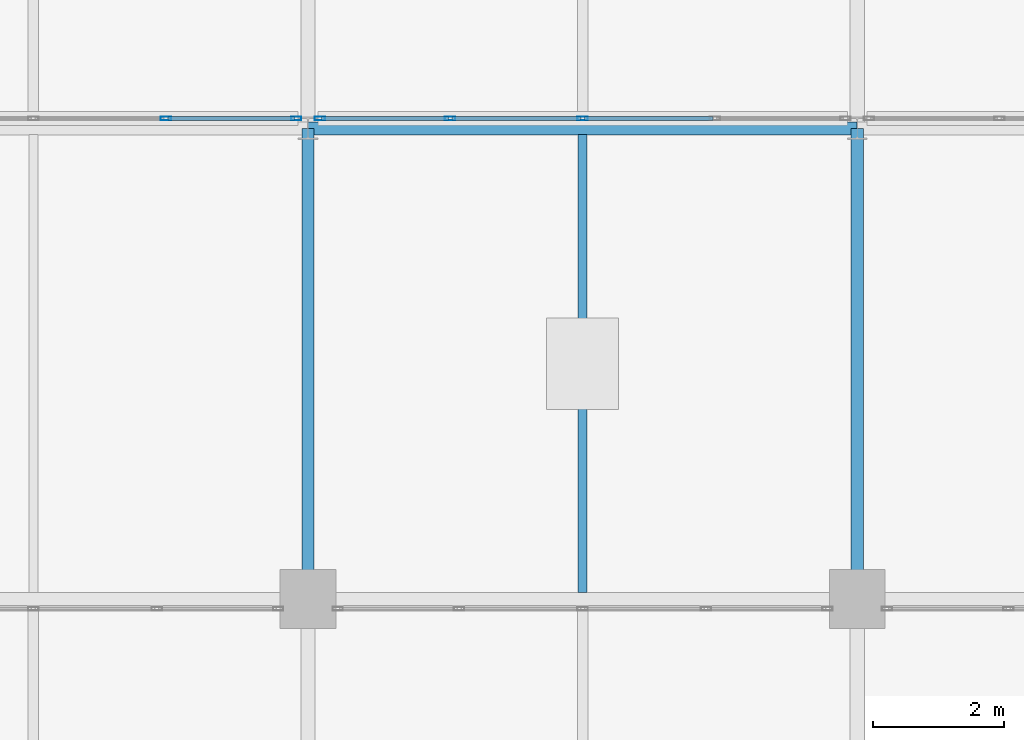
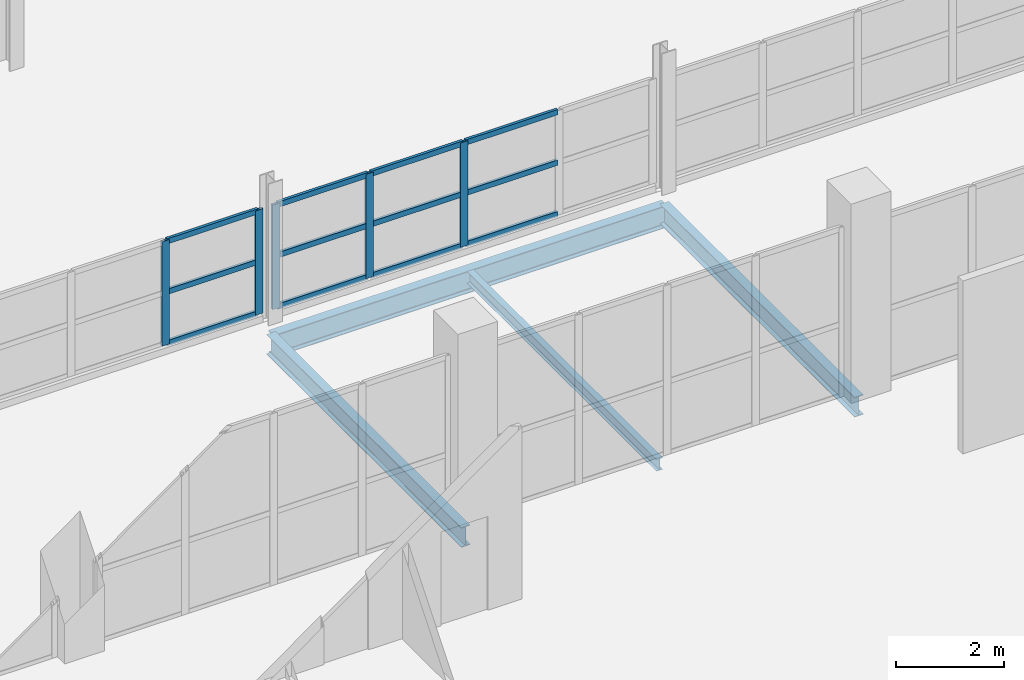
# One storey, part 23 of 103: 17 members, 4 beams, 2 elements without a shape of their own.
"""IFC4 building model written with IfcOpenShell, lengths in metres."""

from ifc_helpers import new_model, si_unit, direction, frame, origin, origin_2d, place, context, subcontext, project, spatial, hollow_rectangle, i_section, extrude, material, material_profile, profile_set, type_object, element, aggregate, save


model = new_model("IFC4")

# Units and contexts
model_context = context("Model", 3, precision=1e-05, world=origin(), true_north=direction((0.0, 1.0)))
body_context = subcontext(model_context, "Body", "Model", "MODEL_VIEW")
ifc_project = project(units=[si_unit("LENGTHUNIT", "METRE"), si_unit("AREAUNIT", "SQUARE_METRE"), si_unit("VOLUMEUNIT", "CUBIC_METRE"), si_unit("PLANEANGLEUNIT", "RADIAN"), si_unit("MASSUNIT", "GRAM", prefix="KILO")], contexts=[model_context])

# Site, building, storey
site_placement = place(None, origin())
site = spatial("IfcSite", under=ifc_project, at=site_placement, CompositionType="ELEMENT")
building_placement = place(site_placement, origin())
building = spatial("IfcBuilding", under=site, at=building_placement, Name="Veltarok Museum of Natural Sciences", CompositionType="ELEMENT")
storey_placement = place(building_placement, frame((0.0, 0.0, 21.89990234375)))
storey = spatial("IfcBuildingStorey", under=building, at=storey_placement, Name="L04", CompositionType="ELEMENT", Elevation=21.89990234375)

# Curtain wall, members
ifc_material_1 = material(Name="Low-iron triple insulated glass", Category="glass")
curtain_wall_type = type_object("IfcCurtainWallType", Name="Curtain Wall System CW-V2S-L04-810x236 (V2 South Setback L04 810x236cm)", PredefinedType="NOTDEFINED", material=ifc_material_1)
curtain_wall_1_placement = place(storey_placement, origin())
curtain_wall_1 = element("IfcCurtainWall", 1, at=curtain_wall_1_placement, inside=storey, type_object=curtain_wall_type, Name="Curtain Wall CW-V2S-L04-810x236 CW-0224", PredefinedType="NOTDEFINED")
ifc_material_2 = material(Name="Thermally broken anodised aluminium", Category="aluminium")
ifc_material_profile_1 = material_profile(ifc_material_2, hollow_rectangle(XDim=0.06005859375, YDim=0.1201171875, WallThickness=0.0048828125, at=origin_2d()), Name="CW TRANSOM 60x120x5")
ifc_profile_set_1 = profile_set([ifc_material_profile_1], Name="Thermally broken anodised aluminium")
member_type_1 = type_object("IfcMemberType", Name="Curtain Wall Horizontal Transom 60x120x5", PredefinedType="USERDEFINED", material=ifc_profile_set_1)
member_1_placement = place(storey_placement, frame((54.655029296875, 26.550048828125, 0.190185546875), z_axis=(1.0, 0.0, 0.0), x_axis=(0.0, 1.0, 0.0)))
member_1 = element("IfcMember", 2, at=member_1_placement, type_object=member_type_1, Name="CW-V2S-L04-810x236 transom 4.1", ObjectType="TRANSOM", PredefinedType="USERDEFINED", context=body_context, shape_type="SweptSolid", body=[
    extrude(hollow_rectangle(XDim=0.06005859375, YDim=0.1201171875, WallThickness=0.0048828125, at=origin_2d()), origin(), (0.0, 0.0, 1.0), 1.93505859375),
])
member_2_placement = place(storey_placement, frame((54.655029296875, 26.550048828125, 1.35009765625), z_axis=(1.0, 0.0, 0.0), x_axis=(0.0, 1.0, 0.0)))
member_2 = element("IfcMember", 3, at=member_2_placement, type_object=member_type_1, Name="CW-V2S-L04-810x236 transom 4.2", ObjectType="TRANSOM", PredefinedType="USERDEFINED", context=body_context, shape_type="SweptSolid", body=[
    extrude(hollow_rectangle(XDim=0.06005859375, YDim=0.1201171875, WallThickness=0.0048828125, at=origin_2d()), origin(), (0.0, 0.0, 1.0), 1.93505859375),
])
member_3_placement = place(storey_placement, frame((54.655029296875, 26.550048828125, 2.489990234375), z_axis=(1.0, 0.0, 0.0), x_axis=(0.0, 1.0, 0.0)))
member_3 = element("IfcMember", 4, at=member_3_placement, type_object=member_type_1, Name="CW-V2S-L04-810x236 transom 4.3", ObjectType="TRANSOM", PredefinedType="USERDEFINED", context=body_context, shape_type="SweptSolid", body=[
    extrude(hollow_rectangle(XDim=0.06005859375, YDim=0.1201171875, WallThickness=0.0048828125, at=origin_2d()), origin(), (0.0, 0.0, 1.0), 1.93505859375),
])

curtain_wall_2_placement = place(storey_placement, origin())
curtain_wall_2 = element("IfcCurtainWall", 5, at=curtain_wall_2_placement, inside=storey, type_object=curtain_wall_type, Name="Curtain Wall CW-V2S-L04-810x236 CW-0225", PredefinedType="NOTDEFINED")
member_4_placement = place(storey_placement, frame((57.010009765625, 26.550048828125, 0.190185546875), z_axis=(1.0, 0.0, 0.0), x_axis=(0.0, 1.0, 0.0)))
member_4 = element("IfcMember", 6, at=member_4_placement, type_object=member_type_1, Name="CW-V2S-L04-810x236 transom 1.1", ObjectType="TRANSOM", PredefinedType="USERDEFINED", context=body_context, shape_type="SweptSolid", body=[
    extrude(hollow_rectangle(XDim=0.06005859375, YDim=0.1201171875, WallThickness=0.0048828125, at=origin_2d()), origin(), (0.0, 0.0, 1.0), 1.93505859375),
])
member_5_placement = place(storey_placement, frame((57.010009765625, 26.550048828125, 1.35009765625), z_axis=(1.0, 0.0, 0.0), x_axis=(0.0, 1.0, 0.0)))
member_5 = element("IfcMember", 7, at=member_5_placement, type_object=member_type_1, Name="CW-V2S-L04-810x236 transom 1.2", ObjectType="TRANSOM", PredefinedType="USERDEFINED", context=body_context, shape_type="SweptSolid", body=[
    extrude(hollow_rectangle(XDim=0.06005859375, YDim=0.1201171875, WallThickness=0.0048828125, at=origin_2d()), origin(), (0.0, 0.0, 1.0), 1.93505859375),
])
member_6_placement = place(storey_placement, frame((57.010009765625, 26.550048828125, 2.489990234375), z_axis=(1.0, 0.0, 0.0), x_axis=(0.0, 1.0, 0.0)))
member_6 = element("IfcMember", 8, at=member_6_placement, type_object=member_type_1, Name="CW-V2S-L04-810x236 transom 1.3", ObjectType="TRANSOM", PredefinedType="USERDEFINED", context=body_context, shape_type="SweptSolid", body=[
    extrude(hollow_rectangle(XDim=0.06005859375, YDim=0.1201171875, WallThickness=0.0048828125, at=origin_2d()), origin(), (0.0, 0.0, 1.0), 1.93505859375),
])
member_7_placement = place(storey_placement, frame((59.0048828125, 26.550048828125, 0.190185546875), z_axis=(1.0, 0.0, 0.0), x_axis=(0.0, 1.0, 0.0)))
member_7 = element("IfcMember", 9, at=member_7_placement, type_object=member_type_1, Name="CW-V2S-L04-810x236 transom 2.1", ObjectType="TRANSOM", PredefinedType="USERDEFINED", context=body_context, shape_type="SweptSolid", body=[
    extrude(hollow_rectangle(XDim=0.06005859375, YDim=0.1201171875, WallThickness=0.0048828125, at=origin_2d()), origin(), (0.0, 0.0, 1.0), 1.965087890625),
])
member_8_placement = place(storey_placement, frame((59.0048828125, 26.550048828125, 1.35009765625), z_axis=(1.0, 0.0, 0.0), x_axis=(0.0, 1.0, 0.0)))
member_8 = element("IfcMember", 10, at=member_8_placement, type_object=member_type_1, Name="CW-V2S-L04-810x236 transom 2.2", ObjectType="TRANSOM", PredefinedType="USERDEFINED", context=body_context, shape_type="SweptSolid", body=[
    extrude(hollow_rectangle(XDim=0.06005859375, YDim=0.1201171875, WallThickness=0.0048828125, at=origin_2d()), origin(), (0.0, 0.0, 1.0), 1.965087890625),
])
member_9_placement = place(storey_placement, frame((59.0048828125, 26.550048828125, 2.489990234375), z_axis=(1.0, 0.0, 0.0), x_axis=(0.0, 1.0, 0.0)))
member_9 = element("IfcMember", 11, at=member_9_placement, type_object=member_type_1, Name="CW-V2S-L04-810x236 transom 2.3", ObjectType="TRANSOM", PredefinedType="USERDEFINED", context=body_context, shape_type="SweptSolid", body=[
    extrude(hollow_rectangle(XDim=0.06005859375, YDim=0.1201171875, WallThickness=0.0048828125, at=origin_2d()), origin(), (0.0, 0.0, 1.0), 1.965087890625),
])
member_10_placement = place(storey_placement, frame((61.030029296875, 26.550048828125, 0.190185546875), z_axis=(1.0, 0.0, 0.0), x_axis=(0.0, 1.0, 0.0)))
member_10 = element("IfcMember", 12, at=member_10_placement, type_object=member_type_1, Name="CW-V2S-L04-810x236 transom 3.1", ObjectType="TRANSOM", PredefinedType="USERDEFINED", context=body_context, shape_type="SweptSolid", body=[
    extrude(hollow_rectangle(XDim=0.06005859375, YDim=0.1201171875, WallThickness=0.0048828125, at=origin_2d()), origin(), (0.0, 0.0, 1.0), 1.965087890625),
])
member_11_placement = place(storey_placement, frame((61.030029296875, 26.550048828125, 1.35009765625), z_axis=(1.0, 0.0, 0.0), x_axis=(0.0, 1.0, 0.0)))
member_11 = element("IfcMember", 13, at=member_11_placement, type_object=member_type_1, Name="CW-V2S-L04-810x236 transom 3.2", ObjectType="TRANSOM", PredefinedType="USERDEFINED", context=body_context, shape_type="SweptSolid", body=[
    extrude(hollow_rectangle(XDim=0.06005859375, YDim=0.1201171875, WallThickness=0.0048828125, at=origin_2d()), origin(), (0.0, 0.0, 1.0), 1.965087890625),
])
member_12_placement = place(storey_placement, frame((61.030029296875, 26.550048828125, 2.489990234375), z_axis=(1.0, 0.0, 0.0), x_axis=(0.0, 1.0, 0.0)))
member_12 = element("IfcMember", 14, at=member_12_placement, type_object=member_type_1, Name="CW-V2S-L04-810x236 transom 3.3", ObjectType="TRANSOM", PredefinedType="USERDEFINED", context=body_context, shape_type="SweptSolid", body=[
    extrude(hollow_rectangle(XDim=0.06005859375, YDim=0.1201171875, WallThickness=0.0048828125, at=origin_2d()), origin(), (0.0, 0.0, 1.0), 1.965087890625),
])

# Member
ifc_material_profile_2 = material_profile(ifc_material_2, hollow_rectangle(XDim=0.06005859375, YDim=0.159912109375, WallThickness=0.0048828125, at=origin_2d()), Name="CW MULLION 60x160x5")
ifc_profile_set_2 = profile_set([ifc_material_profile_2], Name="Thermally broken anodised aluminium")
member_type_2 = type_object("IfcMemberType", Name="Curtain Wall Vertical Mullion 60x160x5", PredefinedType="MULLION", material=ifc_profile_set_2)
member_13_placement = place(storey_placement, frame((54.625, 26.550048828125, 0.16015625), z_axis=(0.0, 0.0, 1.0), x_axis=(0.0, 1.0, 0.0)))
member_13 = element("IfcMember", 15, at=member_13_placement, type_object=member_type_2, Name="CW-V2S-L04-810x236 mullion 4", PredefinedType="MULLION", context=body_context, shape_type="SweptSolid", body=[
    extrude(hollow_rectangle(XDim=0.06005859375, YDim=0.159912109375, WallThickness=0.0048828125, at=origin_2d()), origin(), (0.0, 0.0, 1.0), 2.35986328125),
])

member_14_placement = place(storey_placement, frame((56.6201171875, 26.550048828125, 0.16015625), z_axis=(0.0, 0.0, 1.0), x_axis=(0.0, 1.0, 0.0)))
member_14 = element("IfcMember", 16, at=member_14_placement, type_object=member_type_2, Name="CW-V2S-L04-810x236 mullion 5", PredefinedType="MULLION", context=body_context, shape_type="SweptSolid", body=[
    extrude(hollow_rectangle(XDim=0.06005859375, YDim=0.159912109375, WallThickness=0.0048828125, at=origin_2d()), origin(), (0.0, 0.0, 1.0), 2.35986328125),
])

aggregate(curtain_wall_1, [member_13, member_14, member_1, member_2, member_3])

member_15_placement = place(storey_placement, frame((56.97998046875, 26.550048828125, 0.16015625), z_axis=(0.0, 0.0, 1.0), x_axis=(0.0, 1.0, 0.0)))
member_15 = element("IfcMember", 17, at=member_15_placement, type_object=member_type_2, Name="CW-V2S-L04-810x236 mullion 1", PredefinedType="MULLION", context=body_context, shape_type="SweptSolid", body=[
    extrude(hollow_rectangle(XDim=0.06005859375, YDim=0.159912109375, WallThickness=0.0048828125, at=origin_2d()), origin(), (0.0, 0.0, 1.0), 2.35986328125),
])

member_16_placement = place(storey_placement, frame((58.97509765625, 26.550048828125, 0.16015625), z_axis=(0.0, 0.0, 1.0), x_axis=(0.0, 1.0, 0.0)))
member_16 = element("IfcMember", 18, at=member_16_placement, type_object=member_type_2, Name="CW-V2S-L04-810x236 mullion 2", PredefinedType="MULLION", context=body_context, shape_type="SweptSolid", body=[
    extrude(hollow_rectangle(XDim=0.06005859375, YDim=0.159912109375, WallThickness=0.0048828125, at=origin_2d()), origin(), (0.0, 0.0, 1.0), 2.35986328125),
])

member_17_placement = place(storey_placement, frame((61.0, 26.550048828125, 0.16015625), z_axis=(0.0, 0.0, 1.0), x_axis=(0.0, 1.0, 0.0)))
member_17 = element("IfcMember", 19, at=member_17_placement, type_object=member_type_2, Name="CW-V2S-L04-810x236 mullion 3", PredefinedType="MULLION", context=body_context, shape_type="SweptSolid", body=[
    extrude(hollow_rectangle(XDim=0.06005859375, YDim=0.159912109375, WallThickness=0.0048828125, at=origin_2d()), origin(), (0.0, 0.0, 1.0), 2.35986328125),
])

aggregate(curtain_wall_2, [member_15, member_16, member_17, member_4, member_5, member_6, member_7, member_8, member_9, member_10, member_11, member_12])

# Beams
ifc_material_3 = material(Name="Steel S355J2", Category="steel")
ifc_material_profile_3 = material_profile(ifc_material_3, i_section(OverallWidth=0.18994140625, OverallDepth=0.449951171875, WebThickness=0.009521484375, FlangeThickness=0.0146484375, FilletRadius=0.02099609375, at=origin_2d()), Name="IPE 450")
ifc_profile_set_3 = profile_set([ifc_material_profile_3], Name="Steel S355J2")
beam_type_1 = type_object("IfcBeamType", Name="Laboratory Floor Girder IPE 450", PredefinedType="BEAM", material=ifc_profile_set_3)
for number, where, z_axis, x_axis, name in (
    (20, (56.800048828125, 19.199951171875, -0.474853515625), (0.0, 1.0, 0.0), (-1.0, 0.0, 0.0), "Beam BM-G05 L04 7/C-D"),
    (21, (65.199951171875, 19.199951171875, -0.474853515625), (0.0, 1.0, 0.0), (-1.0, 0.0, 0.0), "Beam BM-G05 L04 8/C-D"),
):
    element("IfcBeam", number, at=place(storey_placement, frame(where, z_axis=z_axis, x_axis=x_axis)), inside=storey, type_object=beam_type_1, Name=name, PredefinedType="BEAM", context=body_context, shape_type="SweptSolid", body=[
        extrude(i_section(OverallWidth=0.18994140625, OverallDepth=0.449951171875, WebThickness=0.009521484375, FlangeThickness=0.0146484375, FilletRadius=0.02099609375, at=origin_2d()), origin(), (0.0, 0.0, 1.0), 7.199951171875),
    ])
ifc_material_profile_4 = material_profile(ifc_material_3, i_section(OverallWidth=0.135009765625, OverallDepth=0.27001953125, WebThickness=0.006591796875, FlangeThickness=0.01025390625, FilletRadius=0.014892578125, at=origin_2d()), Name="IPE 270")
ifc_profile_set_4 = profile_set([ifc_material_profile_4], Name="Steel S355J2")
beam_type_2 = type_object("IfcBeamType", Name="Short-Bay Composite Joist IPE 270", PredefinedType="JOIST", material=ifc_profile_set_4)
beam_1_placement = place(storey_placement, frame((61.0, 19.298095703125, -0.385009765625), z_axis=(0.0, 1.0, 0.0), x_axis=(-1.0, 0.0, 0.0)))
element("IfcBeam", 22, at=beam_1_placement, inside=storey, type_object=beam_type_2, Name="Secondary Joist BM-J04 L04 7-8/C-D.1", PredefinedType="JOIST", context=body_context, shape_type="SweptSolid", body=[
    extrude(i_section(OverallWidth=0.135009765625, OverallDepth=0.27001953125, WebThickness=0.006591796875, FlangeThickness=0.01025390625, FilletRadius=0.014892578125, at=origin_2d()), origin(), (0.0, 0.0, 1.0), 7.00390625),
])
ifc_material_profile_5 = material_profile(ifc_material_3, i_section(OverallWidth=0.199951171875, OverallDepth=0.5, WebThickness=0.01025390625, FlangeThickness=0.01611328125, FilletRadius=0.02099609375, at=origin_2d()), Name="IPE 500")
ifc_profile_set_5 = profile_set([ifc_material_profile_5], Name="Steel S355J2")
beam_type_3 = type_object("IfcBeamType", Name="Standard Gallery Girder IPE 500", PredefinedType="BEAM", material=ifc_profile_set_5)
beam_2_placement = place(storey_placement, frame((56.800048828125, 26.39990234375, -0.5), z_axis=(1.0, 0.0, 0.0), x_axis=(0.0, 1.0, 0.0)))
element("IfcBeam", 23, at=beam_2_placement, inside=storey, type_object=beam_type_3, Name="Beam BM-G04 L04 7-8/D", PredefinedType="BEAM", context=body_context, shape_type="SweptSolid", body=[
    extrude(i_section(OverallWidth=0.199951171875, OverallDepth=0.5, WebThickness=0.01025390625, FlangeThickness=0.01611328125, FilletRadius=0.02099609375, at=origin_2d()), origin(), (0.0, 0.0, 1.0), 8.39990234375),
])

save(model, "model.ifc")
